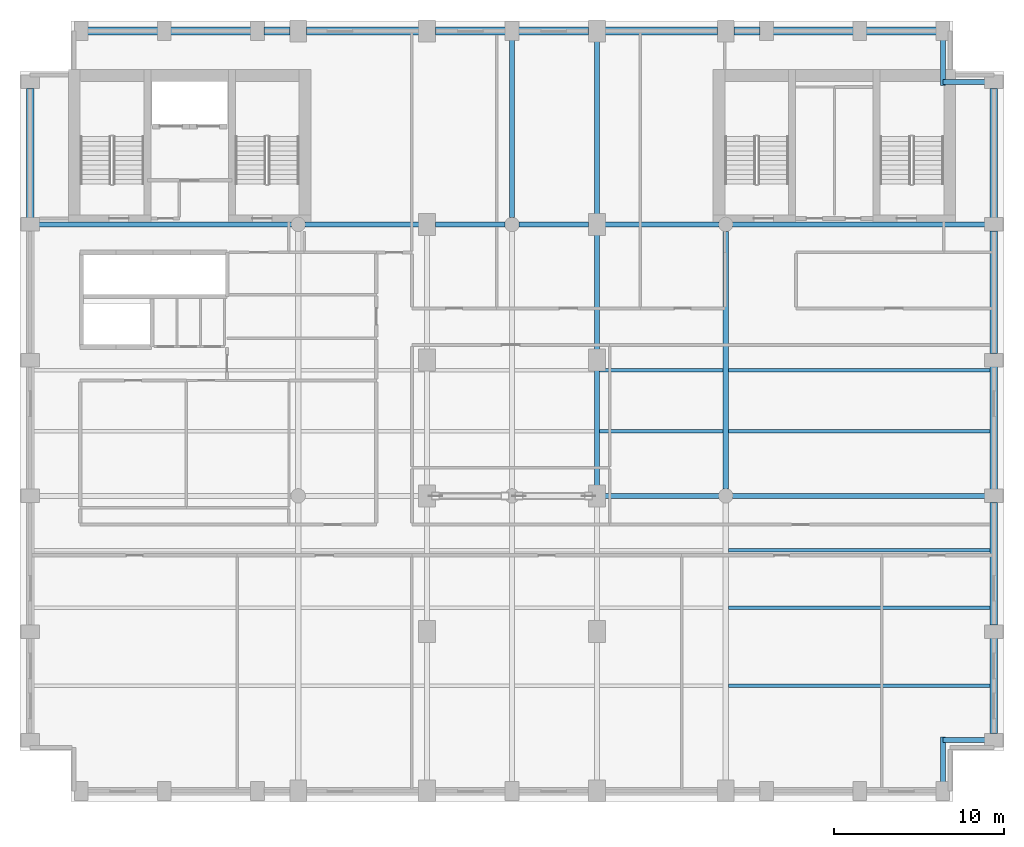
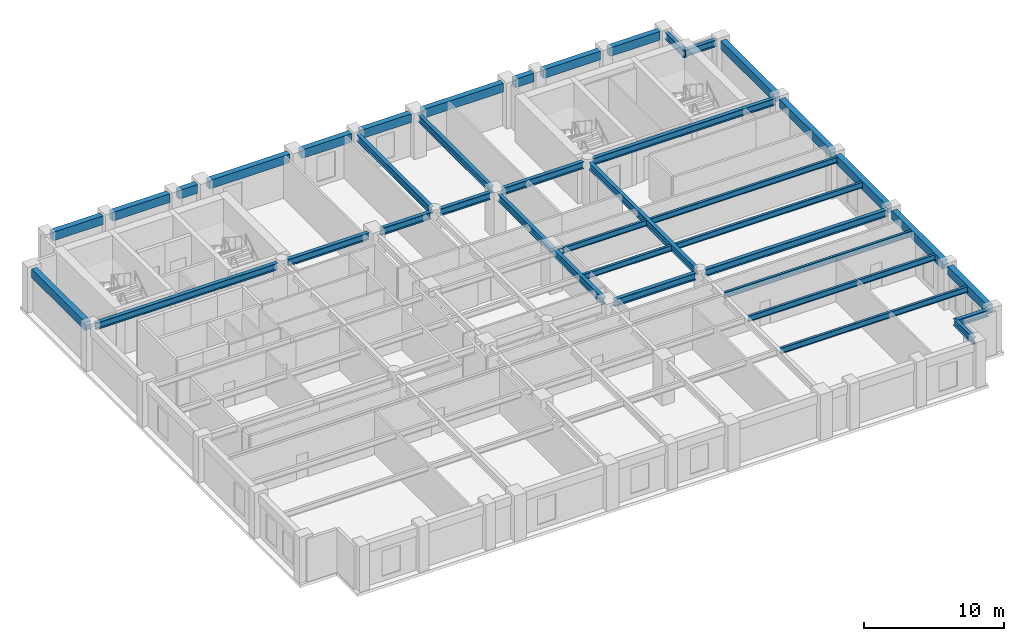
# One storey, part 2 of 11: 39 beams.
"""IFC4 building model written with IfcOpenShell, lengths in metres."""

from ifc_helpers import new_model, si_unit, direction, frame, origin, origin_2d, place, context, subcontext, project, spatial, rectangle, i_section, extrude, material, material_profile, profile_set, type_object, element, save


model = new_model("IFC4")

# Units and contexts
model_context = context("Model", 3, precision=1e-05, world=origin(), true_north=direction((0.0, 1.0)))
body_context = subcontext(model_context, "Body", "Model", "MODEL_VIEW")
ifc_project = project(units=[si_unit("LENGTHUNIT", "METRE"), si_unit("AREAUNIT", "SQUARE_METRE"), si_unit("VOLUMEUNIT", "CUBIC_METRE"), si_unit("PLANEANGLEUNIT", "RADIAN"), si_unit("MASSUNIT", "GRAM", prefix="KILO")], contexts=[model_context])

# Site, building, storey
site_placement = place(None, origin())
site = spatial("IfcSite", under=ifc_project, at=site_placement, CompositionType="ELEMENT")
building_placement = place(site_placement, origin())
building = spatial("IfcBuilding", under=site, at=building_placement, Name="Sulina Concourse Tower", CompositionType="ELEMENT")
storey_placement = place(building_placement, frame((0.0, 0.0, 218.60009765625)))
storey = spatial("IfcBuildingStorey", under=building, at=storey_placement, Name="L53", CompositionType="ELEMENT", Elevation=218.60009765625)

# Beams
ifc_material_1 = material(Name="Steel S355", Category="steel")
ifc_material_profile_1 = material_profile(ifc_material_1, i_section(OverallWidth=0.199951171875, OverallDepth=0.5, WebThickness=0.01025390625, FlangeThickness=0.01611328125, at=origin_2d()), Name="IPE 500")
ifc_profile_set_1 = profile_set([ifc_material_profile_1], Name="Steel S355")
beam_type_1 = type_object("IfcBeamType", Name="Composite Floor Joist IPE500", PredefinedType="JOIST", material=ifc_profile_set_1)
for number, where, z_axis, x_axis, name in (
    (1, (41.75, 6.800048828125, 3.5), (1.0, 0.0, 0.0), (0.0, 1.0, 0.0), "FJ-J06-6-L53"),
    (2, (41.75, 11.39990234375, 3.5), (1.0, 0.0, 0.0), (0.0, 1.0, 0.0), "FJ-J11-6-L53"),
    (3, (41.75, 14.800048828125, 3.5), (1.0, 0.0, 0.0), (0.0, 1.0, 0.0), "FJ-J15-6-L53"),
):
    element("IfcBeam", number, at=place(storey_placement, frame(where, z_axis=z_axis, x_axis=x_axis)), inside=storey, type_object=beam_type_1, Name=name, PredefinedType="JOIST", context=body_context, shape_type="SweptSolid", body=[
        extrude(i_section(OverallWidth=0.199951171875, OverallDepth=0.5, WebThickness=0.01025390625, FlangeThickness=0.01611328125, at=origin_2d()), origin(), (0.0, 0.0, 1.0), 15.425048828125),
    ])
beam_1_placement = place(storey_placement, frame((34.14990234375, 21.800048828125, 3.5), z_axis=(1.0, 0.0, 0.0), x_axis=(0.0, 1.0, 0.0)))
element("IfcBeam", 4, at=beam_1_placement, inside=storey, type_object=beam_type_1, Name="FJ-J22-5-L53", PredefinedType="JOIST", context=body_context, shape_type="SweptSolid", body=[
    extrude(i_section(OverallWidth=0.199951171875, OverallDepth=0.5, WebThickness=0.01025390625, FlangeThickness=0.01611328125, at=origin_2d()), origin(), (0.0, 0.0, 1.0), 7.300048828125),
])
beam_2_placement = place(storey_placement, frame((41.75, 21.800048828125, 3.5), z_axis=(1.0, 0.0, 0.0), x_axis=(0.0, 1.0, 0.0)))
element("IfcBeam", 5, at=beam_2_placement, inside=storey, type_object=beam_type_1, Name="FJ-J22-6-L53", PredefinedType="JOIST", context=body_context, shape_type="SweptSolid", body=[
    extrude(i_section(OverallWidth=0.199951171875, OverallDepth=0.5, WebThickness=0.01025390625, FlangeThickness=0.01611328125, at=origin_2d()), origin(), (0.0, 0.0, 1.0), 15.425048828125),
])
beam_3_placement = place(storey_placement, frame((34.14990234375, 25.39990234375, 3.5), z_axis=(1.0, 0.0, 0.0), x_axis=(0.0, 1.0, 0.0)))
element("IfcBeam", 6, at=beam_3_placement, inside=storey, type_object=beam_type_1, Name="FJ-J25-5-L53", PredefinedType="JOIST", context=body_context, shape_type="SweptSolid", body=[
    extrude(i_section(OverallWidth=0.199951171875, OverallDepth=0.5, WebThickness=0.01025390625, FlangeThickness=0.01611328125, at=origin_2d()), origin(), (0.0, 0.0, 1.0), 7.300048828125),
])
beam_4_placement = place(storey_placement, frame((41.75, 25.39990234375, 3.5), z_axis=(1.0, 0.0, 0.0), x_axis=(0.0, 1.0, 0.0)))
element("IfcBeam", 7, at=beam_4_placement, inside=storey, type_object=beam_type_1, Name="FJ-J25-6-L53", PredefinedType="JOIST", context=body_context, shape_type="SweptSolid", body=[
    extrude(i_section(OverallWidth=0.199951171875, OverallDepth=0.5, WebThickness=0.01025390625, FlangeThickness=0.01611328125, at=origin_2d()), origin(), (0.0, 0.0, 1.0), 15.425048828125),
])
ifc_material_2 = material(Name="Steel S355", Category="steel")
ifc_material_profile_2 = material_profile(ifc_material_2, i_section(OverallWidth=0.300048828125, OverallDepth=0.60009765625, WebThickness=0.015380859375, FlangeThickness=0.030029296875, at=origin_2d()), Name="HE 600 B")
ifc_profile_set_2 = profile_set([ifc_material_profile_2], Name="Steel S355")
beam_type_2 = type_object("IfcBeamType", Name="Floor Primary Girder Zone 3 HE600B", PredefinedType="BEAM", material=ifc_profile_set_2)
for number, where, z_axis, x_axis, name in (
    (8, (54.39990234375, 3.60009765625, 3.449951171875), (1.0, 0.0, 0.0), (0.0, 1.0, 0.0), "TIE-SE-L53"),
    (9, (54.39990234375, 42.39990234375, 3.449951171875), (1.0, 0.0, 0.0), (0.0, 1.0, 0.0), "TIE-NE-L53"),
):
    element("IfcBeam", number, at=place(storey_placement, frame(where, z_axis=z_axis, x_axis=x_axis)), inside=storey, type_object=beam_type_2, Name=name, PredefinedType="BEAM", context=body_context, shape_type="SweptSolid", body=[
        extrude(i_section(OverallWidth=0.300048828125, OverallDepth=0.60009765625, WebThickness=0.015380859375, FlangeThickness=0.030029296875, at=origin_2d()), origin(), (0.0, 0.0, 1.0), 2.6201171875),
    ])
for number, where, z_axis, x_axis, name in (
    (10, (54.39990234375, 0.97998046875, 3.449951171875), (0.0, 1.0, 0.0), (-1.0, 0.0, 0.0), "TIE-SES-L53"),
    (11, (54.39990234375, 42.199951171875, 3.449951171875), (0.0, 1.0, 0.0), (-1.0, 0.0, 0.0), "TIE-NEN-L53"),
):
    element("IfcBeam", number, at=place(storey_placement, frame(where, z_axis=z_axis, x_axis=x_axis)), inside=storey, type_object=beam_type_2, Name=name, PredefinedType="BEAM", context=body_context, shape_type="SweptSolid", body=[
        extrude(i_section(OverallWidth=0.300048828125, OverallDepth=0.60009765625, WebThickness=0.015380859375, FlangeThickness=0.030029296875, at=origin_2d()), origin(), (0.0, 0.0, 1.0), 2.820068359375),
    ])
beam_5_placement = place(storey_placement, frame((34.47998046875, 18.0, 3.449951171875), z_axis=(1.0, 0.0, 0.0), x_axis=(0.0, 1.0, 0.0)))
element("IfcBeam", 12, at=beam_5_placement, inside=storey, type_object=beam_type_2, Name="FG-EW5-L53", PredefinedType="BEAM", context=body_context, shape_type="SweptSolid", body=[
    extrude(i_section(OverallWidth=0.300048828125, OverallDepth=0.60009765625, WebThickness=0.015380859375, FlangeThickness=0.030029296875, at=origin_2d()), origin(), (0.0, 0.0, 1.0), 6.715087890625),
])
for number, where, z_axis, x_axis, name in (
    (13, (42.0048828125, 18.0, 3.449951171875), (1.0, 0.0, 0.0), (0.0, 1.0, 0.0), "FG-EW6-L53"),
    (14, (0.97998046875, 34.0, 3.449951171875), (1.0, 0.0, 0.0), (0.0, 1.0, 0.0), "FG-EWN1-L53"),
):
    element("IfcBeam", number, at=place(storey_placement, frame(where, z_axis=z_axis, x_axis=x_axis)), inside=storey, type_object=beam_type_2, Name=name, PredefinedType="BEAM", context=body_context, shape_type="SweptSolid", body=[
        extrude(i_section(OverallWidth=0.300048828125, OverallDepth=0.60009765625, WebThickness=0.015380859375, FlangeThickness=0.030029296875, at=origin_2d()), origin(), (0.0, 0.0, 1.0), 15.01513671875),
    ])
beam_6_placement = place(storey_placement, frame((16.804931640625, 34.0, 3.449951171875), z_axis=(1.0, 0.0, 0.0), x_axis=(0.0, 1.0, 0.0)))
element("IfcBeam", 15, at=beam_6_placement, inside=storey, type_object=beam_type_2, Name="FG-EWN2-L53", PredefinedType="BEAM", context=body_context, shape_type="SweptSolid", body=[
    extrude(i_section(OverallWidth=0.300048828125, OverallDepth=0.60009765625, WebThickness=0.015380859375, FlangeThickness=0.030029296875, at=origin_2d()), origin(), (0.0, 0.0, 1.0), 6.715087890625),
])
for number, where, z_axis, x_axis, name in (
    (16, (24.47998046875, 34.0, 3.449951171875), (1.0, 0.0, 0.0), (0.0, 1.0, 0.0), "FG-EWN3-L53"),
    (17, (29.405029296875, 34.0, 3.449951171875), (1.0, 0.0, 0.0), (0.0, 1.0, 0.0), "FG-EWN4-L53"),
):
    element("IfcBeam", number, at=place(storey_placement, frame(where, z_axis=z_axis, x_axis=x_axis)), inside=storey, type_object=beam_type_2, Name=name, PredefinedType="BEAM", context=body_context, shape_type="SweptSolid", body=[
        extrude(i_section(OverallWidth=0.300048828125, OverallDepth=0.60009765625, WebThickness=0.015380859375, FlangeThickness=0.030029296875, at=origin_2d()), origin(), (0.0, 0.0, 1.0), 4.114990234375),
    ])
beam_7_placement = place(storey_placement, frame((34.47998046875, 34.0, 3.449951171875), z_axis=(1.0, 0.0, 0.0), x_axis=(0.0, 1.0, 0.0)))
element("IfcBeam", 18, at=beam_7_placement, inside=storey, type_object=beam_type_2, Name="FG-EWN5-L53", PredefinedType="BEAM", context=body_context, shape_type="SweptSolid", body=[
    extrude(i_section(OverallWidth=0.300048828125, OverallDepth=0.60009765625, WebThickness=0.015380859375, FlangeThickness=0.030029296875, at=origin_2d()), origin(), (0.0, 0.0, 1.0), 6.715087890625),
])
beam_8_placement = place(storey_placement, frame((42.0048828125, 34.0, 3.449951171875), z_axis=(1.0, 0.0, 0.0), x_axis=(0.0, 1.0, 0.0)))
element("IfcBeam", 19, at=beam_8_placement, inside=storey, type_object=beam_type_2, Name="FG-EWN6-L53", PredefinedType="BEAM", context=body_context, shape_type="SweptSolid", body=[
    extrude(i_section(OverallWidth=0.300048828125, OverallDepth=0.60009765625, WebThickness=0.015380859375, FlangeThickness=0.030029296875, at=origin_2d()), origin(), (0.0, 0.0, 1.0), 15.01513671875),
])
beam_9_placement = place(storey_placement, frame((29.0, 34.405029296875, 3.449951171875), z_axis=(0.0, 1.0, 0.0), x_axis=(-1.0, 0.0, 0.0)))
element("IfcBeam", 20, at=beam_9_placement, inside=storey, type_object=beam_type_2, Name="FG-NSC-29-L53", PredefinedType="BEAM", context=body_context, shape_type="SweptSolid", body=[
    extrude(i_section(OverallWidth=0.300048828125, OverallDepth=0.60009765625, WebThickness=0.015380859375, FlangeThickness=0.030029296875, at=origin_2d()), origin(), (0.0, 0.0, 1.0), 10.614990234375),
])
beam_10_placement = place(storey_placement, frame((34.0, 18.47998046875, 3.449951171875), z_axis=(0.0, 1.0, 0.0), x_axis=(-1.0, 0.0, 0.0)))
element("IfcBeam", 21, at=beam_10_placement, inside=storey, type_object=beam_type_2, Name="FG-NSB-34-L53", PredefinedType="BEAM", context=body_context, shape_type="SweptSolid", body=[
    extrude(i_section(OverallWidth=0.300048828125, OverallDepth=0.60009765625, WebThickness=0.015380859375, FlangeThickness=0.030029296875, at=origin_2d()), origin(), (0.0, 0.0, 1.0), 15.0400390625),
])
beam_11_placement = place(storey_placement, frame((34.0, 34.47998046875, 3.449951171875), z_axis=(0.0, 1.0, 0.0), x_axis=(-1.0, 0.0, 0.0)))
element("IfcBeam", 22, at=beam_11_placement, inside=storey, type_object=beam_type_2, Name="FG-NSC-34-L53", PredefinedType="BEAM", context=body_context, shape_type="SweptSolid", body=[
    extrude(i_section(OverallWidth=0.300048828125, OverallDepth=0.60009765625, WebThickness=0.015380859375, FlangeThickness=0.030029296875, at=origin_2d()), origin(), (0.0, 0.0, 1.0), 10.43994140625),
])
beam_12_placement = place(storey_placement, frame((41.60009765625, 18.405029296875, 3.449951171875), z_axis=(0.0, 1.0, 0.0), x_axis=(-1.0, 0.0, 0.0)))
element("IfcBeam", 23, at=beam_12_placement, inside=storey, type_object=beam_type_2, Name="FG-NSB-41-L53", PredefinedType="BEAM", context=body_context, shape_type="SweptSolid", body=[
    extrude(i_section(OverallWidth=0.300048828125, OverallDepth=0.60009765625, WebThickness=0.015380859375, FlangeThickness=0.030029296875, at=origin_2d()), origin(), (0.0, 0.0, 1.0), 15.18994140625),
])
ifc_material_3 = material(Name="Precast concrete C50/60", Category="concrete")
ifc_material_profile_3 = material_profile(ifc_material_3, rectangle(XDim=0.449951171875, YDim=0.75, at=origin_2d()), Name="RC 450x750")
ifc_profile_set_3 = profile_set([ifc_material_profile_3], Name="Precast concrete C50/60")
beam_type_3 = type_object("IfcBeamType", Name="Upper Precast Spandrel Edge Beam 450x750", PredefinedType="BEAM", material=ifc_profile_set_3)
beam_13_placement = place(storey_placement, frame((3.97998046875, 45.39990234375, 3.375), z_axis=(1.0, 0.0, 0.0), x_axis=(0.0, 1.0, 0.0)))
element("IfcBeam", 24, at=beam_13_placement, inside=storey, type_object=beam_type_3, Name="SP-N1-L53", PredefinedType="BEAM", context=body_context, shape_type="SweptSolid", body=[
    extrude(rectangle(XDim=0.449951171875, YDim=0.75, at=origin_2d()), origin(), (0.0, 0.0, 1.0), 4.14013671875),
])
beam_14_placement = place(storey_placement, frame((8.8798828125, 45.39990234375, 3.375), z_axis=(1.0, 0.0, 0.0), x_axis=(0.0, 1.0, 0.0)))
element("IfcBeam", 25, at=beam_14_placement, inside=storey, type_object=beam_type_3, Name="SP-N2-L53", PredefinedType="BEAM", context=body_context, shape_type="SweptSolid", body=[
    extrude(rectangle(XDim=0.449951171875, YDim=0.75, at=origin_2d()), origin(), (0.0, 0.0, 1.0), 4.740234375),
])
beam_15_placement = place(storey_placement, frame((14.3798828125, 45.39990234375, 3.375), z_axis=(1.0, 0.0, 0.0), x_axis=(0.0, 1.0, 0.0)))
element("IfcBeam", 26, at=beam_15_placement, inside=storey, type_object=beam_type_3, Name="SP-N3-L53", PredefinedType="BEAM", context=body_context, shape_type="SweptSolid", body=[
    extrude(rectangle(XDim=0.449951171875, YDim=0.75, at=origin_2d()), origin(), (0.0, 0.0, 1.0), 1.5400390625),
])
beam_16_placement = place(storey_placement, frame((16.8798828125, 45.39990234375, 3.375), z_axis=(1.0, 0.0, 0.0), x_axis=(0.0, 1.0, 0.0)))
element("IfcBeam", 27, at=beam_16_placement, inside=storey, type_object=beam_type_3, Name="SP-N4-L53", PredefinedType="BEAM", context=body_context, shape_type="SweptSolid", body=[
    extrude(rectangle(XDim=0.449951171875, YDim=0.75, at=origin_2d()), origin(), (0.0, 0.0, 1.0), 6.64013671875),
])
for number, where, z_axis, x_axis, name in (
    (28, (24.47998046875, 45.39990234375, 3.375), (1.0, 0.0, 0.0), (0.0, 1.0, 0.0), "SP-N5-L53"),
    (29, (29.3798828125, 45.39990234375, 3.375), (1.0, 0.0, 0.0), (0.0, 1.0, 0.0), "SP-N6-L53"),
):
    element("IfcBeam", number, at=place(storey_placement, frame(where, z_axis=z_axis, x_axis=x_axis)), inside=storey, type_object=beam_type_3, Name=name, PredefinedType="BEAM", context=body_context, shape_type="SweptSolid", body=[
        extrude(rectangle(XDim=0.449951171875, YDim=0.75, at=origin_2d()), origin(), (0.0, 0.0, 1.0), 4.14013671875),
    ])
beam_17_placement = place(storey_placement, frame((34.47998046875, 45.39990234375, 3.375), z_axis=(1.0, 0.0, 0.0), x_axis=(0.0, 1.0, 0.0)))
element("IfcBeam", 30, at=beam_17_placement, inside=storey, type_object=beam_type_3, Name="SP-N7-L53", PredefinedType="BEAM", context=body_context, shape_type="SweptSolid", body=[
    extrude(rectangle(XDim=0.449951171875, YDim=0.75, at=origin_2d()), origin(), (0.0, 0.0, 1.0), 6.64013671875),
])
beam_18_placement = place(storey_placement, frame((42.080078125, 45.39990234375, 3.375), z_axis=(1.0, 0.0, 0.0), x_axis=(0.0, 1.0, 0.0)))
element("IfcBeam", 31, at=beam_18_placement, inside=storey, type_object=beam_type_3, Name="SP-N8-L53", PredefinedType="BEAM", context=body_context, shape_type="SweptSolid", body=[
    extrude(rectangle(XDim=0.449951171875, YDim=0.75, at=origin_2d()), origin(), (0.0, 0.0, 1.0), 1.5400390625),
])
beam_19_placement = place(storey_placement, frame((44.3798828125, 45.39990234375, 3.375), z_axis=(1.0, 0.0, 0.0), x_axis=(0.0, 1.0, 0.0)))
element("IfcBeam", 32, at=beam_19_placement, inside=storey, type_object=beam_type_3, Name="SP-N9-L53", PredefinedType="BEAM", context=body_context, shape_type="SweptSolid", body=[
    extrude(rectangle(XDim=0.449951171875, YDim=0.75, at=origin_2d()), origin(), (0.0, 0.0, 1.0), 4.740234375),
])
beam_20_placement = place(storey_placement, frame((49.8798828125, 45.39990234375, 3.375), z_axis=(1.0, 0.0, 0.0), x_axis=(0.0, 1.0, 0.0)))
element("IfcBeam", 33, at=beam_20_placement, inside=storey, type_object=beam_type_3, Name="SP-N10-L53", PredefinedType="BEAM", context=body_context, shape_type="SweptSolid", body=[
    extrude(rectangle(XDim=0.449951171875, YDim=0.75, at=origin_2d()), origin(), (0.0, 0.0, 1.0), 4.14013671875),
])
beam_21_placement = place(storey_placement, frame((0.60009765625, 34.3798828125, 3.375), z_axis=(0.0, 1.0, 0.0), x_axis=(-1.0, 0.0, 0.0)))
element("IfcBeam", 34, at=beam_21_placement, inside=storey, type_object=beam_type_3, Name="SP-W5-L53", PredefinedType="BEAM", context=body_context, shape_type="SweptSolid", body=[
    extrude(rectangle(XDim=0.449951171875, YDim=0.75, at=origin_2d()), origin(), (0.0, 0.0, 1.0), 7.64013671875),
])
beam_22_placement = place(storey_placement, frame((57.39990234375, 3.97998046875, 3.375), z_axis=(0.0, 1.0, 0.0), x_axis=(-1.0, 0.0, 0.0)))
element("IfcBeam", 35, at=beam_22_placement, inside=storey, type_object=beam_type_3, Name="SP-E1-L53", PredefinedType="BEAM", context=body_context, shape_type="SweptSolid", body=[
    extrude(rectangle(XDim=0.449951171875, YDim=0.75, at=origin_2d()), origin(), (0.0, 0.0, 1.0), 5.64013671875),
])
for number, where, z_axis, x_axis, name in (
    (36, (57.39990234375, 10.3798828125, 3.375), (0.0, 1.0, 0.0), (-1.0, 0.0, 0.0), "SP-E2-L53"),
    (37, (57.39990234375, 18.3798828125, 3.375), (0.0, 1.0, 0.0), (-1.0, 0.0, 0.0), "SP-E3-L53"),
    (38, (57.39990234375, 26.3798828125, 3.375), (0.0, 1.0, 0.0), (-1.0, 0.0, 0.0), "SP-E4-L53"),
):
    element("IfcBeam", number, at=place(storey_placement, frame(where, z_axis=z_axis, x_axis=x_axis)), inside=storey, type_object=beam_type_3, Name=name, PredefinedType="BEAM", context=body_context, shape_type="SweptSolid", body=[
        extrude(rectangle(XDim=0.449951171875, YDim=0.75, at=origin_2d()), origin(), (0.0, 0.0, 1.0), 7.240234375),
    ])
beam_23_placement = place(storey_placement, frame((57.39990234375, 34.3798828125, 3.375), z_axis=(0.0, 1.0, 0.0), x_axis=(-1.0, 0.0, 0.0)))
element("IfcBeam", 39, at=beam_23_placement, inside=storey, type_object=beam_type_3, Name="SP-E5-L53", PredefinedType="BEAM", context=body_context, shape_type="SweptSolid", body=[
    extrude(rectangle(XDim=0.449951171875, YDim=0.75, at=origin_2d()), origin(), (0.0, 0.0, 1.0), 7.64013671875),
])

save(model, "model.ifc")
